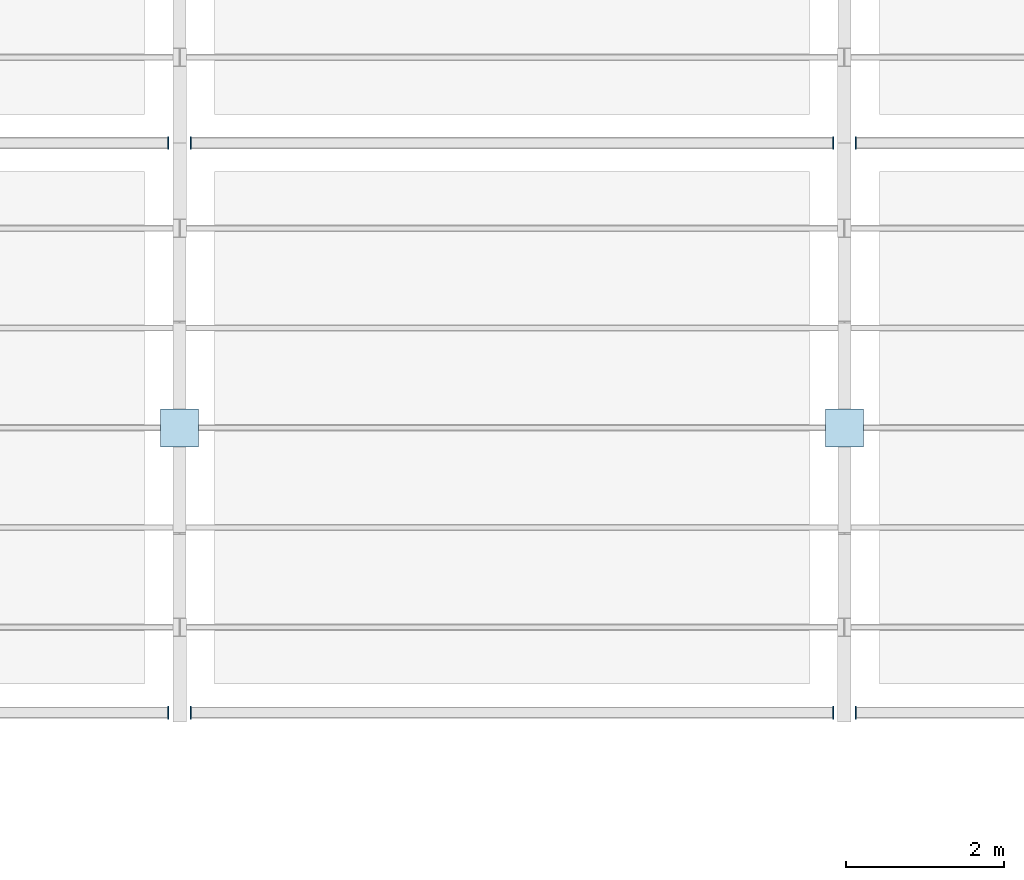
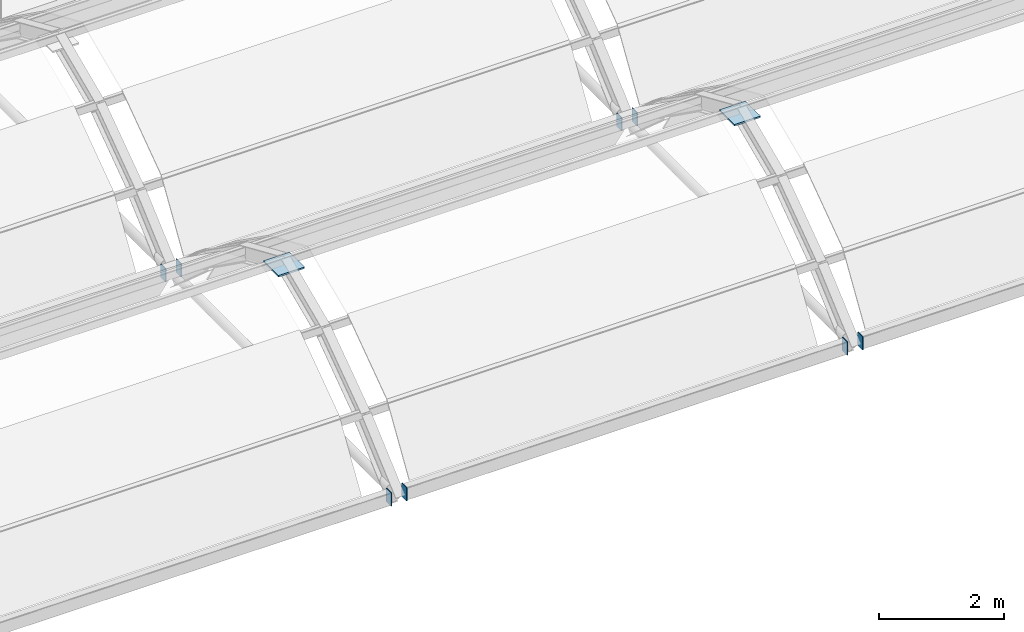
# One storey, part 48 of 100: 10 plates.
"""IFC4 building model written with IfcOpenShell, lengths in metres."""

from ifc_helpers import new_model, si_unit, derived_unit, direction, frame, origin, origin_2d, place, context, subcontext, project, spatial, rectangle, extrude, material, layer, layer_set, type_object, element, save


model = new_model("IFC4")

# Units and contexts
model_context = context("Model", 3, precision=1e-05, world=origin(), true_north=direction((0.0, 1.0)))
body_context = subcontext(model_context, "Body", "Model", "MODEL_VIEW")
ifc_project = project(units=[si_unit("LENGTHUNIT", "METRE"), si_unit("AREAUNIT", "SQUARE_METRE"), si_unit("VOLUMEUNIT", "CUBIC_METRE"), si_unit("PLANEANGLEUNIT", "RADIAN"), si_unit("MASSUNIT", "GRAM", prefix="KILO"), derived_unit("THERMALTRANSMITTANCEUNIT", [(si_unit("POWERUNIT", "WATT"), 1), (si_unit("LENGTHUNIT", "METRE"), -2), (si_unit("THERMODYNAMICTEMPERATUREUNIT", "KELVIN"), -1)])], contexts=[model_context])

# Site, building, storey
site_placement = place(None, origin())
site = spatial("IfcSite", under=ifc_project, at=site_placement, CompositionType="ELEMENT")
building_placement = place(site_placement, origin())
building = spatial("IfcBuilding", under=site, at=building_placement, Name="Veybourne Emporium", CompositionType="ELEMENT")
storey_placement = place(building_placement, frame((0.0, 0.0, 14.39990234375)))
storey = spatial("IfcBuildingStorey", under=building, at=storey_placement, Name="L03", CompositionType="ELEMENT", Elevation=14.39990234375)

# Plates
ifc_material = material(Name="Steel S355", Category="steel")
ifc_layer_1 = layer(ifc_material, 0.030029296875)
ifc_layer_set_1 = layer_set([ifc_layer_1], Name="Steel S355")
plate_type_1 = type_object("IfcPlateType", Name="NodePlate_BP-02", PredefinedType="USERDEFINED", material=ifc_layer_set_1)
for number, where, z_axis, x_axis, name in (
    (1, (67.199951171875, 10.800048828125, 2.4052734375), (0.0, 0.0, 1.0), (1.0, 0.0, 0.0), "Arcade arch ridge plate VA-02"),
    (2, (75.60009765625, 10.800048828125, 2.4052734375), (0.0, 0.0, 1.0), (1.0, 0.0, 0.0), "Arcade arch ridge plate VA-03"),
):
    element("IfcPlate", number, at=place(storey_placement, frame(where, z_axis=z_axis, x_axis=x_axis)), inside=storey, type_object=plate_type_1, Name=name, ObjectType="BASE_PLATE", PredefinedType="USERDEFINED", context=body_context, shape_type="SweptSolid", body=[
        extrude(rectangle(XDim=0.47998046875, YDim=0.47998046875, at=origin_2d()), origin(), (0.0, 0.0, 1.0), 0.030029296875),
    ])
ifc_layer_2 = layer(ifc_material, 0.01611328125)
ifc_layer_set_2 = layer_set([ifc_layer_2], Name="Steel S355")
plate_type_2 = type_object("IfcPlateType", Name="NodePlate_CP-01", PredefinedType="USERDEFINED", material=ifc_layer_set_2)
for number, where, z_axis, x_axis, name in (
    (3, (67.05810546875, 7.199951171875, -0.0048828125), (0.0, 0.0, 1.0), (1.0, 0.0, 0.0), "Welded hollow-section end cap plate CP-01 (VSPR-B1-Y7-E)"),
    (4, (67.05810546875, 14.39990234375, -0.0048828125), (0.0, 0.0, 1.0), (1.0, 0.0, 0.0), "Welded hollow-section end cap plate CP-01 (VSPR-B1-Y14-E)"),
    (5, (67.342041015625, 7.199951171875, -0.0048828125), (0.0, 0.0, 1.0), (1.0, 0.0, 0.0), "Welded hollow-section end cap plate CP-01 (VSPR-B2-Y7-W)"),
    (6, (75.4580078125, 7.199951171875, -0.0048828125), (0.0, 0.0, 1.0), (1.0, 0.0, 0.0), "Welded hollow-section end cap plate CP-01 (VSPR-B2-Y7-E)"),
    (7, (67.342041015625, 14.39990234375, -0.0048828125), (0.0, 0.0, 1.0), (1.0, 0.0, 0.0), "Welded hollow-section end cap plate CP-01 (VSPR-B2-Y14-W)"),
    (8, (75.4580078125, 14.39990234375, -0.0048828125), (0.0, 0.0, 1.0), (1.0, 0.0, 0.0), "Welded hollow-section end cap plate CP-01 (VSPR-B2-Y14-E)"),
    (9, (75.741943359375, 7.199951171875, -0.0048828125), (0.0, 0.0, 1.0), (1.0, 0.0, 0.0), "Welded hollow-section end cap plate CP-01 (VSPR-B3-Y7-W)"),
    (10, (75.741943359375, 14.39990234375, -0.0048828125), (0.0, 0.0, 1.0), (1.0, 0.0, 0.0), "Welded hollow-section end cap plate CP-01 (VSPR-B3-Y14-W)"),
):
    element("IfcPlate", number, at=place(storey_placement, frame(where, z_axis=z_axis, x_axis=x_axis)), inside=storey, type_object=plate_type_2, Name=name, ObjectType="CAP_PLATE", PredefinedType="USERDEFINED", context=body_context, shape_type="SweptSolid", body=[
        extrude(rectangle(XDim=0.01611328125, YDim=0.159912109375, at=origin_2d()), origin(), (0.0, 0.0, 1.0), 0.260009765625),
    ])

save(model, "model.ifc")
